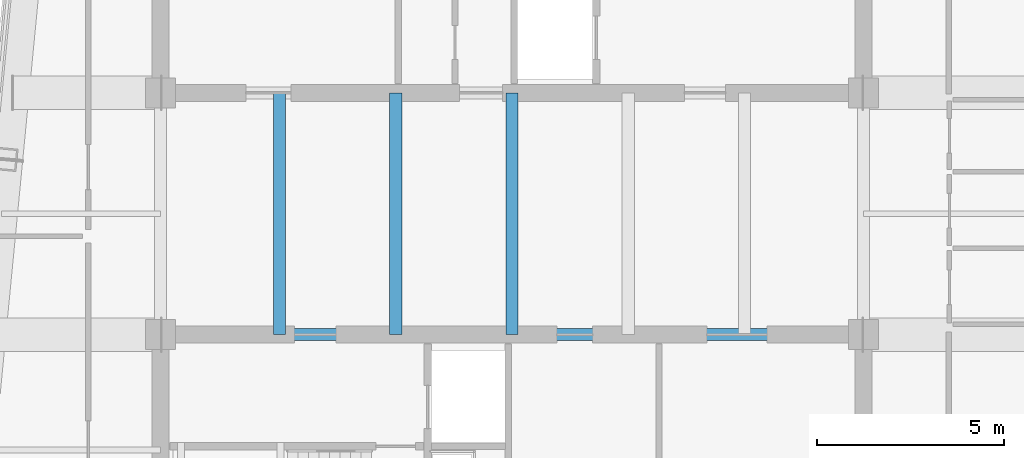
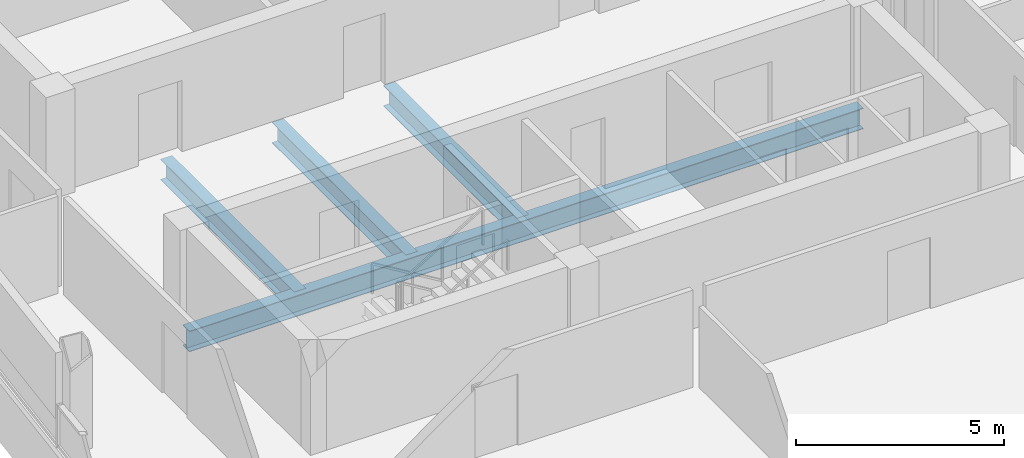
# One storey, part 7 of 21: 4 beams.
"""IFC4 building model written with IfcOpenShell, lengths in metres."""

from ifc_helpers import new_model, si_unit, direction, frame, origin, origin_2d, place, context, subcontext, project, spatial, i_section, extrude, material, material_profile, profile_set, type_object, element, save


model = new_model("IFC4")

# Units and contexts
model_context = context("Model", 3, precision=1e-05, world=origin(), true_north=direction((0.0, 1.0)))
body_context = subcontext(model_context, "Body", "Model", "MODEL_VIEW")
ifc_project = project(units=[si_unit("LENGTHUNIT", "METRE"), si_unit("AREAUNIT", "SQUARE_METRE"), si_unit("VOLUMEUNIT", "CUBIC_METRE"), si_unit("PLANEANGLEUNIT", "RADIAN"), si_unit("MASSUNIT", "GRAM", prefix="KILO")], contexts=[model_context])

# Site, building, storey
site_placement = place(None, origin())
site = spatial("IfcSite", under=ifc_project, at=site_placement, CompositionType="ELEMENT")
building_placement = place(site_placement, origin())
building = spatial("IfcBuilding", under=site, at=building_placement, Name="Qhalaya Broadcast Tower", CompositionType="ELEMENT")
storey_placement = place(building_placement, frame((0.0, 0.0, 270.300048828125)))
storey = spatial("IfcBuildingStorey", under=building, at=storey_placement, Name="L80", CompositionType="ELEMENT", Elevation=270.300048828125)

# Beams
ifc_material = material(Name="Structural Steel ASTM A992 Grade 50", Category="steel")
ifc_material_profile = material_profile(ifc_material, i_section(OverallWidth=0.323974609375, OverallDepth=0.612060546875, WebThickness=0.0126953125, FlangeThickness=0.01904296875, at=origin_2d()), Name="W24X104")
ifc_profile_set = profile_set([ifc_material_profile], Name="Structural Steel ASTM A992 Grade 50")
beam_type = type_object("IfcBeamType", Name="Core Frame Tie Beam B04", PredefinedType="BEAM", material=ifc_profile_set)
beam_placement = place(storey_placement, frame((-9.375, -2.625, -0.49609375), z_axis=(1.0, 0.0, 0.0), x_axis=(0.0, 1.0, 0.0)))
element("IfcBeam", 1, at=beam_placement, inside=storey, type_object=beam_type, Name="L80 B04 L80-CCS1", PredefinedType="BEAM", context=body_context, shape_type="SweptSolid", body=[
    extrude(i_section(OverallWidth=0.323974609375, OverallDepth=0.612060546875, WebThickness=0.0126953125, FlangeThickness=0.01904296875, at=origin_2d()), origin(), (0.0, 0.0, 1.0), 18.75),
])
for number, where, z_axis, x_axis, name in (
    (2, (-6.199951171875, -2.625, -0.49609375), (0.0, 1.0, 0.0), (-1.0, 0.0, 0.0), "L80 B04 L80-JC1-1"),
    (3, (-3.10009765625, -2.625, -0.49609375), (0.0, 1.0, 0.0), (-1.0, 0.0, 0.0), "L80 B04 L80-JC2-1"),
    (4, (0.0, -2.625, -0.49609375), (0.0, 1.0, 0.0), (-1.0, 0.0, 0.0), "L80 B04 L80-JC3-1"),
):
    element("IfcBeam", number, at=place(storey_placement, frame(where, z_axis=z_axis, x_axis=x_axis)), inside=storey, type_object=beam_type, Name=name, PredefinedType="BEAM", context=body_context, shape_type="SweptSolid", body=[
        extrude(i_section(OverallWidth=0.323974609375, OverallDepth=0.612060546875, WebThickness=0.0126953125, FlangeThickness=0.01904296875, at=origin_2d()), origin(), (0.0, 0.0, 1.0), 6.449951171875),
    ])

save(model, "model.ifc")
